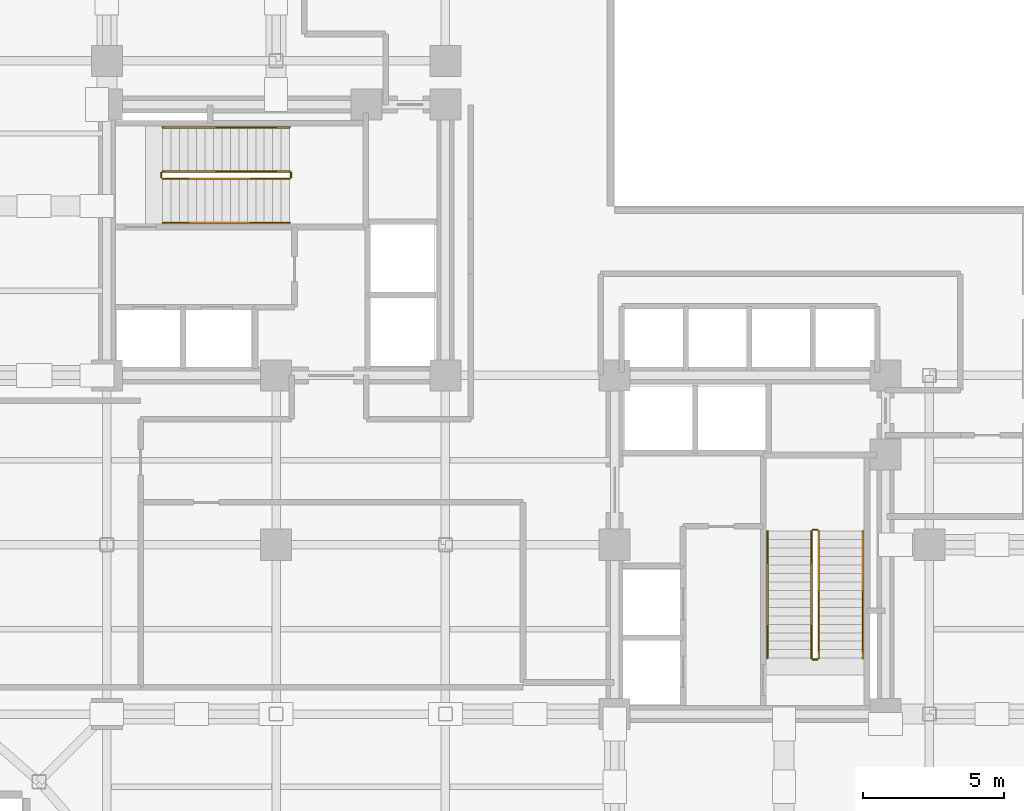
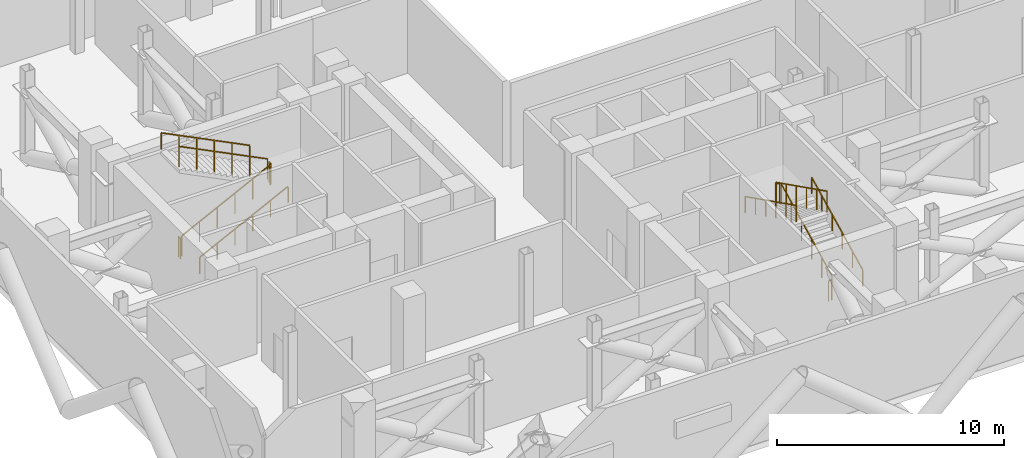
# One storey, part 9 of 9: 12 railings.
"""IFC4 building model written with IfcOpenShell, lengths in metres."""

from ifc_helpers import new_model, si_unit, direction, frame, origin, origin_2d, place, context, subcontext, project, spatial, rectangle, extrude, material, type_object, element, save


model = new_model("IFC4")

# Units and contexts
model_context = context("Model", 3, precision=1e-05, world=origin(), true_north=direction((0.0, 1.0)))
body_context = subcontext(model_context, "Body", "Model", "MODEL_VIEW")
ifc_project = project(units=[si_unit("LENGTHUNIT", "METRE"), si_unit("AREAUNIT", "SQUARE_METRE"), si_unit("VOLUMEUNIT", "CUBIC_METRE"), si_unit("PLANEANGLEUNIT", "RADIAN"), si_unit("MASSUNIT", "GRAM", prefix="KILO"), si_unit("THERMODYNAMICTEMPERATUREUNIT", "KELVIN"), si_unit("POWERUNIT", "WATT")], contexts=[model_context])

# Site, building, storey
site_placement = place(None, origin())
site = spatial("IfcSite", under=ifc_project, at=site_placement, CompositionType="ELEMENT")
building_placement = place(site_placement, origin())
building = spatial("IfcBuilding", under=site, at=building_placement, Name="Svarakhadi Broadcast Tower", CompositionType="ELEMENT")
storey_placement = place(building_placement, frame((0.0, 0.0, 164.39990234375)))
storey = spatial("IfcBuildingStorey", under=building, at=storey_placement, Name="L40", CompositionType="ELEMENT", Elevation=164.39990234375)

# Railings
ifc_material = material(Name="Anodised Bronze Aluminium AA 6063-T6", Category="aluminium")
railing_type_1 = type_object("IfcRailingType", Name="Guard_Stair_GR01", PredefinedType="GUARDRAIL", material=ifc_material)
railing_1_placement = place(storey_placement, frame((7.97998046875, 24.969970703125, 0.150146484375)))
element("IfcRailing", 1, at=railing_1_placement, inside=storey, type_object=railing_type_1, Name="L40 ST-01 stair guard 1", PredefinedType="GUARDRAIL", context=body_context, shape_type="SweptSolid", body=[
    extrude(rectangle(XDim=0.048095703125, YDim=0.048095703125, at=origin_2d()), frame((0.0, 0.0, 1.09619140625), z_axis=(0.894427191, 0.0, 0.4472135955), x_axis=(0.0, 1.0, 0.0)), (0.0, 0.0, 1.0), 5.03125),
    extrude(rectangle(XDim=0.0419921875, YDim=0.0419921875, at=origin_2d()), origin(), (0.0, 0.0, 1.0), 1.072021484375),
    extrude(rectangle(XDim=0.0419921875, YDim=0.0419921875, at=origin_2d()), frame((0.89990234375, 0.0, 0.449951171875)), (0.0, 0.0, 1.0), 1.072021484375),
    extrude(rectangle(XDim=0.0419921875, YDim=0.0419921875, at=origin_2d()), frame((1.800048828125, 0.0, 0.89990234375)), (0.0, 0.0, 1.0), 1.072021484375),
    extrude(rectangle(XDim=0.0419921875, YDim=0.0419921875, at=origin_2d()), frame((2.699951171875, 0.0, 1.35009765625)), (0.0, 0.0, 1.0), 1.072021484375),
    extrude(rectangle(XDim=0.0419921875, YDim=0.0419921875, at=origin_2d()), frame((3.60009765625, 0.0, 1.800048828125)), (0.0, 0.0, 1.0), 1.072021484375),
    extrude(rectangle(XDim=0.0419921875, YDim=0.0419921875, at=origin_2d()), frame((4.5, 0.0, 2.25)), (0.0, 0.0, 1.0), 1.072021484375),
])
railing_2_placement = place(storey_placement, frame((12.530029296875, 25.02001953125, 2.400146484375)))
element("IfcRailing", 2, at=railing_2_placement, inside=storey, type_object=railing_type_1, Name="L40 ST-01 stair guard 2", PredefinedType="GUARDRAIL", context=body_context, shape_type="SweptSolid", body=[
    extrude(rectangle(XDim=0.048095703125, YDim=0.048095703125, at=origin_2d()), frame((0.0, 0.0, 1.09619140625), z_axis=(0.0, 1.0, 0.0), x_axis=(-1.0, 0.0, 0.0)), (0.0, 0.0, 1.0), 0.159912109375),
    extrude(rectangle(XDim=0.0419921875, YDim=0.0419921875, at=origin_2d()), origin(), (0.0, 0.0, 1.0), 1.072021484375),
    extrude(rectangle(XDim=0.0419921875, YDim=0.0419921875, at=origin_2d()), frame((0.0, 0.159912109375, 0.0)), (0.0, 0.0, 1.0), 1.072021484375),
])
railing_3_placement = place(storey_placement, frame((12.47998046875, 25.22998046875, 2.550048828125)))
element("IfcRailing", 3, at=railing_3_placement, inside=storey, type_object=railing_type_1, Name="L40 ST-01 stair guard 3", PredefinedType="GUARDRAIL", context=body_context, shape_type="SweptSolid", body=[
    extrude(rectangle(XDim=0.048095703125, YDim=0.048095703125, at=origin_2d()), frame((0.0, 0.0, 1.09619140625), z_axis=(-0.894427191, 0.0, 0.4472135955), x_axis=(0.0, -1.0, 0.0)), (0.0, 0.0, 1.0), 5.03125),
    extrude(rectangle(XDim=0.0419921875, YDim=0.0419921875, at=origin_2d()), origin(), (0.0, 0.0, 1.0), 1.072021484375),
    extrude(rectangle(XDim=0.0419921875, YDim=0.0419921875, at=origin_2d()), frame((-0.89990234375, 0.0, 0.449951171875)), (0.0, 0.0, 1.0), 1.072021484375),
    extrude(rectangle(XDim=0.0419921875, YDim=0.0419921875, at=origin_2d()), frame((-1.800048828125, 0.0, 0.89990234375)), (0.0, 0.0, 1.0), 1.072021484375),
    extrude(rectangle(XDim=0.0419921875, YDim=0.0419921875, at=origin_2d()), frame((-2.699951171875, 0.0, 1.35009765625)), (0.0, 0.0, 1.0), 1.072021484375),
    extrude(rectangle(XDim=0.0419921875, YDim=0.0419921875, at=origin_2d()), frame((-3.60009765625, 0.0, 1.800048828125)), (0.0, 0.0, 1.0), 1.072021484375),
    extrude(rectangle(XDim=0.0419921875, YDim=0.0419921875, at=origin_2d()), frame((-4.5, 0.0, 2.25)), (0.0, 0.0, 1.0), 1.072021484375),
])
railing_4_placement = place(storey_placement, frame((7.929931640625, 25.02001953125, 0.0)))
element("IfcRailing", 4, at=railing_4_placement, inside=storey, type_object=railing_type_1, Name="L40 ST-01 stair guard 4", PredefinedType="GUARDRAIL", context=body_context, shape_type="SweptSolid", body=[
    extrude(rectangle(XDim=0.048095703125, YDim=0.048095703125, at=origin_2d()), frame((0.0, 0.0, 1.09619140625), z_axis=(0.0, 1.0, 0.0), x_axis=(-1.0, 0.0, 0.0)), (0.0, 0.0, 1.0), 0.159912109375),
    extrude(rectangle(XDim=0.0419921875, YDim=0.0419921875, at=origin_2d()), origin(), (0.0, 0.0, 1.0), 1.072021484375),
    extrude(rectangle(XDim=0.0419921875, YDim=0.0419921875, at=origin_2d()), frame((0.0, 0.159912109375, 0.0)), (0.0, 0.0, 1.0), 1.072021484375),
])
railing_5_placement = place(storey_placement, frame((31.22998046875, 7.97998046875, 0.150146484375)))
element("IfcRailing", 5, at=railing_5_placement, inside=storey, type_object=railing_type_1, Name="L40 ST-02 stair guard 1", PredefinedType="GUARDRAIL", context=body_context, shape_type="SweptSolid", body=[
    extrude(rectangle(XDim=0.048095703125, YDim=0.048095703125, at=origin_2d()), frame((0.0, 0.0, 1.09619140625), z_axis=(0.0, 0.894427191, 0.4472135955), x_axis=(-1.0, 0.0, 0.0)), (0.0, 0.0, 1.0), 5.03125),
    extrude(rectangle(XDim=0.0419921875, YDim=0.0419921875, at=origin_2d()), origin(), (0.0, 0.0, 1.0), 1.072021484375),
    extrude(rectangle(XDim=0.0419921875, YDim=0.0419921875, at=origin_2d()), frame((0.0, 0.89990234375, 0.449951171875)), (0.0, 0.0, 1.0), 1.072021484375),
    extrude(rectangle(XDim=0.0419921875, YDim=0.0419921875, at=origin_2d()), frame((0.0, 1.800048828125, 0.89990234375)), (0.0, 0.0, 1.0), 1.072021484375),
    extrude(rectangle(XDim=0.0419921875, YDim=0.0419921875, at=origin_2d()), frame((0.0, 2.699951171875, 1.35009765625)), (0.0, 0.0, 1.0), 1.072021484375),
    extrude(rectangle(XDim=0.0419921875, YDim=0.0419921875, at=origin_2d()), frame((0.0, 3.60009765625, 1.800048828125)), (0.0, 0.0, 1.0), 1.072021484375),
    extrude(rectangle(XDim=0.0419921875, YDim=0.0419921875, at=origin_2d()), frame((0.0, 4.5, 2.25)), (0.0, 0.0, 1.0), 1.072021484375),
])
railing_6_placement = place(storey_placement, frame((31.179931640625, 12.530029296875, 2.400146484375)))
element("IfcRailing", 6, at=railing_6_placement, inside=storey, type_object=railing_type_1, Name="L40 ST-02 stair guard 2", PredefinedType="GUARDRAIL", context=body_context, shape_type="SweptSolid", body=[
    extrude(rectangle(XDim=0.048095703125, YDim=0.048095703125, at=origin_2d()), frame((0.0, 0.0, 1.09619140625), z_axis=(-1.0, 0.0, 0.0), x_axis=(0.0, -1.0, 0.0)), (0.0, 0.0, 1.0), 0.159912109375),
    extrude(rectangle(XDim=0.0419921875, YDim=0.0419921875, at=origin_2d()), origin(), (0.0, 0.0, 1.0), 1.072021484375),
    extrude(rectangle(XDim=0.0419921875, YDim=0.0419921875, at=origin_2d()), frame((-0.159912109375, 0.0, 0.0)), (0.0, 0.0, 1.0), 1.072021484375),
])
railing_7_placement = place(storey_placement, frame((30.969970703125, 12.47998046875, 2.550048828125)))
element("IfcRailing", 7, at=railing_7_placement, inside=storey, type_object=railing_type_1, Name="L40 ST-02 stair guard 3", PredefinedType="GUARDRAIL", context=body_context, shape_type="SweptSolid", body=[
    extrude(rectangle(XDim=0.048095703125, YDim=0.048095703125, at=origin_2d()), frame((0.0, 0.0, 1.09619140625), z_axis=(0.0, -0.894427191, 0.4472135955), x_axis=(1.0, 0.0, 0.0)), (0.0, 0.0, 1.0), 5.03125),
    extrude(rectangle(XDim=0.0419921875, YDim=0.0419921875, at=origin_2d()), origin(), (0.0, 0.0, 1.0), 1.072021484375),
    extrude(rectangle(XDim=0.0419921875, YDim=0.0419921875, at=origin_2d()), frame((0.0, -0.89990234375, 0.449951171875)), (0.0, 0.0, 1.0), 1.072021484375),
    extrude(rectangle(XDim=0.0419921875, YDim=0.0419921875, at=origin_2d()), frame((0.0, -1.800048828125, 0.89990234375)), (0.0, 0.0, 1.0), 1.072021484375),
    extrude(rectangle(XDim=0.0419921875, YDim=0.0419921875, at=origin_2d()), frame((0.0, -2.699951171875, 1.35009765625)), (0.0, 0.0, 1.0), 1.072021484375),
    extrude(rectangle(XDim=0.0419921875, YDim=0.0419921875, at=origin_2d()), frame((0.0, -3.60009765625, 1.800048828125)), (0.0, 0.0, 1.0), 1.072021484375),
    extrude(rectangle(XDim=0.0419921875, YDim=0.0419921875, at=origin_2d()), frame((0.0, -4.5, 2.25)), (0.0, 0.0, 1.0), 1.072021484375),
])
railing_8_placement = place(storey_placement, frame((31.179931640625, 7.929931640625, 0.0)))
element("IfcRailing", 8, at=railing_8_placement, inside=storey, type_object=railing_type_1, Name="L40 ST-02 stair guard 4", PredefinedType="GUARDRAIL", context=body_context, shape_type="SweptSolid", body=[
    extrude(rectangle(XDim=0.048095703125, YDim=0.048095703125, at=origin_2d()), frame((0.0, 0.0, 1.09619140625), z_axis=(-1.0, 0.0, 0.0), x_axis=(0.0, -1.0, 0.0)), (0.0, 0.0, 1.0), 0.159912109375),
    extrude(rectangle(XDim=0.0419921875, YDim=0.0419921875, at=origin_2d()), origin(), (0.0, 0.0, 1.0), 1.072021484375),
    extrude(rectangle(XDim=0.0419921875, YDim=0.0419921875, at=origin_2d()), frame((-0.159912109375, 0.0, 0.0)), (0.0, 0.0, 1.0), 1.072021484375),
])
railing_type_2 = type_object("IfcRailingType", Name="Handrail_Stair_HR01", PredefinedType="HANDRAIL", material=ifc_material)
railing_9_placement = place(storey_placement, frame((7.97998046875, 23.409912109375, 0.150146484375)))
element("IfcRailing", 9, at=railing_9_placement, inside=storey, type_object=railing_type_2, Name="L40 ST-01 stair handrail 1", PredefinedType="HANDRAIL", context=body_context, shape_type="SweptSolid", body=[
    extrude(rectangle(XDim=0.048095703125, YDim=0.048095703125, at=origin_2d()), frame((0.0, 0.0, 0.8759765625), z_axis=(0.894427191, 0.0, 0.4472135955), x_axis=(0.0, 1.0, 0.0)), (0.0, 0.0, 1.0), 5.03125),
    extrude(rectangle(XDim=0.0419921875, YDim=0.0419921875, at=origin_2d()), origin(), (0.0, 0.0, 1.0), 0.851806640625),
    extrude(rectangle(XDim=0.0419921875, YDim=0.0419921875, at=origin_2d()), frame((0.89990234375, 0.0, 0.449951171875)), (0.0, 0.0, 1.0), 0.851806640625),
    extrude(rectangle(XDim=0.0419921875, YDim=0.0419921875, at=origin_2d()), frame((1.800048828125, 0.0, 0.89990234375)), (0.0, 0.0, 1.0), 0.851806640625),
    extrude(rectangle(XDim=0.0419921875, YDim=0.0419921875, at=origin_2d()), frame((2.699951171875, 0.0, 1.35009765625)), (0.0, 0.0, 1.0), 0.851806640625),
    extrude(rectangle(XDim=0.0419921875, YDim=0.0419921875, at=origin_2d()), frame((3.60009765625, 0.0, 1.800048828125)), (0.0, 0.0, 1.0), 0.851806640625),
    extrude(rectangle(XDim=0.0419921875, YDim=0.0419921875, at=origin_2d()), frame((4.5, 0.0, 2.25)), (0.0, 0.0, 1.0), 0.851806640625),
])
railing_10_placement = place(storey_placement, frame((12.47998046875, 26.7900390625, 2.550048828125)))
element("IfcRailing", 10, at=railing_10_placement, inside=storey, type_object=railing_type_2, Name="L40 ST-01 stair handrail 2", PredefinedType="HANDRAIL", context=body_context, shape_type="SweptSolid", body=[
    extrude(rectangle(XDim=0.048095703125, YDim=0.048095703125, at=origin_2d()), frame((0.0, 0.0, 0.8759765625), z_axis=(-0.894427191, 0.0, 0.4472135955), x_axis=(0.0, -1.0, 0.0)), (0.0, 0.0, 1.0), 5.03125),
    extrude(rectangle(XDim=0.0419921875, YDim=0.0419921875, at=origin_2d()), origin(), (0.0, 0.0, 1.0), 0.851806640625),
    extrude(rectangle(XDim=0.0419921875, YDim=0.0419921875, at=origin_2d()), frame((-0.89990234375, 0.0, 0.449951171875)), (0.0, 0.0, 1.0), 0.851806640625),
    extrude(rectangle(XDim=0.0419921875, YDim=0.0419921875, at=origin_2d()), frame((-1.800048828125, 0.0, 0.89990234375)), (0.0, 0.0, 1.0), 0.851806640625),
    extrude(rectangle(XDim=0.0419921875, YDim=0.0419921875, at=origin_2d()), frame((-2.699951171875, 0.0, 1.35009765625)), (0.0, 0.0, 1.0), 0.851806640625),
    extrude(rectangle(XDim=0.0419921875, YDim=0.0419921875, at=origin_2d()), frame((-3.60009765625, 0.0, 1.800048828125)), (0.0, 0.0, 1.0), 0.851806640625),
    extrude(rectangle(XDim=0.0419921875, YDim=0.0419921875, at=origin_2d()), frame((-4.5, 0.0, 2.25)), (0.0, 0.0, 1.0), 0.851806640625),
])
railing_11_placement = place(storey_placement, frame((32.7900390625, 7.97998046875, 0.150146484375)))
element("IfcRailing", 11, at=railing_11_placement, inside=storey, type_object=railing_type_2, Name="L40 ST-02 stair handrail 1", PredefinedType="HANDRAIL", context=body_context, shape_type="SweptSolid", body=[
    extrude(rectangle(XDim=0.048095703125, YDim=0.048095703125, at=origin_2d()), frame((0.0, 0.0, 0.8759765625), z_axis=(0.0, 0.894427191, 0.4472135955), x_axis=(-1.0, 0.0, 0.0)), (0.0, 0.0, 1.0), 5.03125),
    extrude(rectangle(XDim=0.0419921875, YDim=0.0419921875, at=origin_2d()), origin(), (0.0, 0.0, 1.0), 0.851806640625),
    extrude(rectangle(XDim=0.0419921875, YDim=0.0419921875, at=origin_2d()), frame((0.0, 0.89990234375, 0.449951171875)), (0.0, 0.0, 1.0), 0.851806640625),
    extrude(rectangle(XDim=0.0419921875, YDim=0.0419921875, at=origin_2d()), frame((0.0, 1.800048828125, 0.89990234375)), (0.0, 0.0, 1.0), 0.851806640625),
    extrude(rectangle(XDim=0.0419921875, YDim=0.0419921875, at=origin_2d()), frame((0.0, 2.699951171875, 1.35009765625)), (0.0, 0.0, 1.0), 0.851806640625),
    extrude(rectangle(XDim=0.0419921875, YDim=0.0419921875, at=origin_2d()), frame((0.0, 3.60009765625, 1.800048828125)), (0.0, 0.0, 1.0), 0.851806640625),
    extrude(rectangle(XDim=0.0419921875, YDim=0.0419921875, at=origin_2d()), frame((0.0, 4.5, 2.25)), (0.0, 0.0, 1.0), 0.851806640625),
])
railing_12_placement = place(storey_placement, frame((29.409912109375, 12.47998046875, 2.550048828125)))
element("IfcRailing", 12, at=railing_12_placement, inside=storey, type_object=railing_type_2, Name="L40 ST-02 stair handrail 2", PredefinedType="HANDRAIL", context=body_context, shape_type="SweptSolid", body=[
    extrude(rectangle(XDim=0.048095703125, YDim=0.048095703125, at=origin_2d()), frame((0.0, 0.0, 0.8759765625), z_axis=(0.0, -0.894427191, 0.4472135955), x_axis=(1.0, 0.0, 0.0)), (0.0, 0.0, 1.0), 5.03125),
    extrude(rectangle(XDim=0.0419921875, YDim=0.0419921875, at=origin_2d()), origin(), (0.0, 0.0, 1.0), 0.851806640625),
    extrude(rectangle(XDim=0.0419921875, YDim=0.0419921875, at=origin_2d()), frame((0.0, -0.89990234375, 0.449951171875)), (0.0, 0.0, 1.0), 0.851806640625),
    extrude(rectangle(XDim=0.0419921875, YDim=0.0419921875, at=origin_2d()), frame((0.0, -1.800048828125, 0.89990234375)), (0.0, 0.0, 1.0), 0.851806640625),
    extrude(rectangle(XDim=0.0419921875, YDim=0.0419921875, at=origin_2d()), frame((0.0, -2.699951171875, 1.35009765625)), (0.0, 0.0, 1.0), 0.851806640625),
    extrude(rectangle(XDim=0.0419921875, YDim=0.0419921875, at=origin_2d()), frame((0.0, -3.60009765625, 1.800048828125)), (0.0, 0.0, 1.0), 0.851806640625),
    extrude(rectangle(XDim=0.0419921875, YDim=0.0419921875, at=origin_2d()), frame((0.0, -4.5, 2.25)), (0.0, 0.0, 1.0), 0.851806640625),
])

save(model, "model.ifc")
